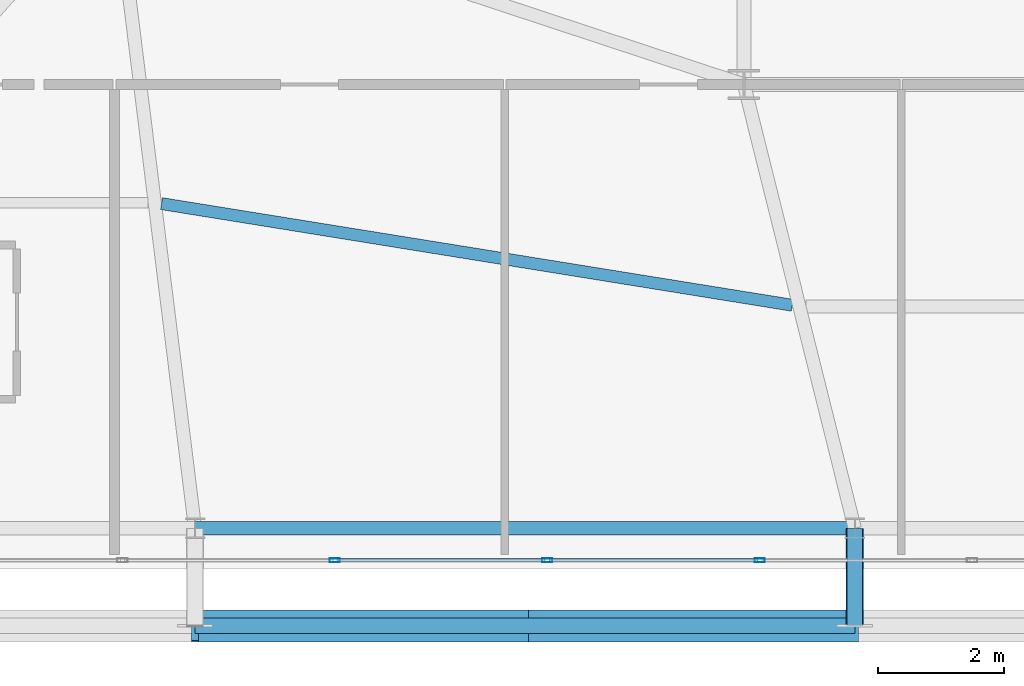
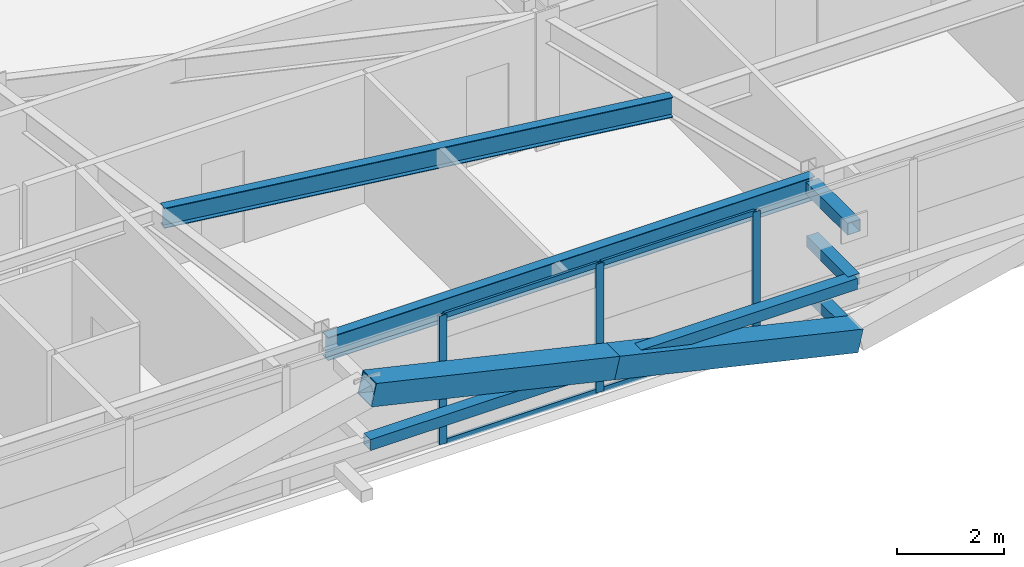
# One storey, part 11 of 58: 13 members, 2 beams, 1 element without a shape of its own.
"""IFC4 building model written with IfcOpenShell, lengths in metres."""

from ifc_helpers import new_model, si_unit, direction, frame, origin, origin_2d, place, context, subcontext, project, spatial, hollow_rectangle, i_section, extrude, source, transform, mapped, material, layer, layer_set, material_profile, profile_set, type_object, element, aggregate, save


model = new_model("IFC4")

# Units and contexts
model_context = context("Model", 3, precision=1e-05, world=origin(), true_north=direction((0.0, 1.0)))
body_context = subcontext(model_context, "Body", "Model", "MODEL_VIEW")
ifc_project = project(units=[si_unit("LENGTHUNIT", "METRE"), si_unit("AREAUNIT", "SQUARE_METRE"), si_unit("VOLUMEUNIT", "CUBIC_METRE"), si_unit("PLANEANGLEUNIT", "RADIAN"), si_unit("MASSUNIT", "GRAM", prefix="KILO")], contexts=[model_context])

# Site, building, storey
site_placement = place(None, origin())
site = spatial("IfcSite", under=ifc_project, at=site_placement, CompositionType="ELEMENT")
building_placement = place(site_placement, origin())
building = spatial("IfcBuilding", under=site, at=building_placement, Name="Taldren Reach Tower", CompositionType="ELEMENT")
storey_placement = place(building_placement, frame((0.0, 0.0, 54.60009765625)))
storey = spatial("IfcBuildingStorey", under=building, at=storey_placement, Name="L16", CompositionType="ELEMENT", Elevation=54.60009765625)

# Beams
ifc_material_1 = material(Name="Steel Gr 350 (350PLUS)", Category="steel")
ifc_material_profile_1 = material_profile(ifc_material_1, i_section(OverallWidth=0.208984375, OverallDepth=0.528076171875, WebThickness=0.009521484375, FlangeThickness=0.01318359375, at=origin_2d()), Name="530UB82.0")
ifc_profile_set_1 = profile_set([ifc_material_profile_1], Name="Steel Gr 350 (350PLUS)")
beam_type_1 = type_object("IfcBeamType", Name="SP-UB530B", PredefinedType="SPANDREL", material=ifc_profile_set_1)
shared_shape_1 = source(origin(), body_context, "Body", "SweptSolid", [
    extrude(i_section(OverallWidth=0.208984375, OverallDepth=0.528076171875, WebThickness=0.009521484375, FlangeThickness=0.01318359375, at=origin_2d()), origin(), (0.0, 0.0, 1.0), 10.47998046875),
])
beam_1_placement = place(storey_placement, frame((19.280029296875, 2.14990234375, 2.666015625), z_axis=(1.0, 0.0, 0.0), x_axis=(0.0, 1.0, 0.0)))
element("IfcBeam", 1, at=beam_1_placement, inside=storey, type_object=beam_type_1, Name="Perimeter spandrel B1 S2-S3 L16", PredefinedType="SPANDREL", context=body_context, shape_type="MappedRepresentation", body=[
    mapped(shared_shape_1, transform((0.0, 0.0, 0.0), scale=1.0)),
])
ifc_material_profile_2 = material_profile(ifc_material_1, i_section(OverallWidth=0.19091796875, OverallDepth=0.4599609375, WebThickness=0.010009765625, FlangeThickness=0.01611328125, at=origin_2d()), Name="460UB82.1")
ifc_profile_set_2 = profile_set([ifc_material_profile_2], Name="Steel Gr 350 (350PLUS)")
beam_type_2 = type_object("IfcBeamType", Name="BM-UB460A", PredefinedType="BEAM", material=ifc_profile_set_2)
shared_shape_2 = source(origin(), body_context, "Body", "SweptSolid", [
    extrude(i_section(OverallWidth=0.19091796875, OverallDepth=0.4599609375, WebThickness=0.010009765625, FlangeThickness=0.01611328125, at=origin_2d()), origin(), (0.0, 0.0, 1.0), 10.1494140625),
])
beam_2_placement = place(storey_placement, frame((18.74755859375, 7.3076171875, 2.699951171875), z_axis=(0.987266967452, -0.159072106224, 0.0), x_axis=(0.159072106224, 0.987266967452, 0.0)))
element("IfcBeam", 2, at=beam_2_placement, inside=storey, type_object=beam_type_2, Name="Secondary floor beam B1 J2 L16", PredefinedType="BEAM", context=body_context, shape_type="MappedRepresentation", body=[
    mapped(shared_shape_2, transform((0.0, 0.0, 0.0), scale=1.0)),
])

# Members
ifc_material_2 = material(Name="Steel Gr 450 (C450L0)", Category="steel")
ifc_material_profile_3 = material_profile(ifc_material_2, hollow_rectangle(XDim=0.27490234375, YDim=0.27490234375, WallThickness=0.00927734375, at=origin_2d()), Name="275x275x9.3SHS")
ifc_profile_set_3 = profile_set([ifc_material_profile_3], Name="Steel Gr 450 (C450L0)")
member_type_1 = type_object("IfcMemberType", Name="MB-TIE273", PredefinedType="STRUT", material=ifc_profile_set_3)
shared_shape_3 = source(origin(), body_context, "Body", "SweptSolid", [
    extrude(hollow_rectangle(XDim=0.27490234375, YDim=0.27490234375, WallThickness=0.00927734375, at=origin_2d()), origin(), (0.0, 0.0, 1.0), 1.5498046875),
])
member_1_placement = place(storey_placement, frame((29.760009765625, 2.14990234375, 2.64990234375), z_axis=(0.0, -1.0, 0.0), x_axis=(1.0, 0.0, 0.0)))
element("IfcMember", 3, at=member_1_placement, inside=storey, type_object=member_type_1, Name="Exoskeleton diaphragm tie strut B1-S3 L16", PredefinedType="STRUT", context=body_context, shape_type="MappedRepresentation", body=[
    mapped(shared_shape_3, transform((0.0, 0.0, 0.0), scale=1.0)),
])
ifc_material_profile_4 = material_profile(ifc_material_2, hollow_rectangle(XDim=0.510009765625, YDim=0.510009765625, WallThickness=0.02001953125, at=origin_2d()), Name="510x510x20.0SHS")
ifc_profile_set_4 = profile_set([ifc_material_profile_4], Name="Steel Gr 450 (C450L0)")
member_type_2 = type_object("IfcMemberType", Name="MB-EXO508", PredefinedType="BRACE", material=ifc_profile_set_4)
shared_shape_4 = source(origin(), body_context, "Body", "SweptSolid", [
    extrude(hollow_rectangle(XDim=0.510009765625, YDim=0.510009765625, WallThickness=0.02001953125, at=origin_2d()), origin(), (0.0, 0.0, 1.0), 5.37890625),
])
for number, where, z_axis, x_axis, name in (
    (4, (29.760009765625, 0.60009765625, 0.219970703125), (-0.974161966843, 0.0, 0.225850531007), (0.0, -1.0, 0.0), "Exoskeleton Diagrid Brace B1-S2 L16"),
    (5, (24.52001953125, 0.60009765625, 1.434814453125), (-0.97415197996, 0.0, 0.225893603143), (0.0, -1.0, 0.0), "Exoskeleton Diagrid Brace B1-S2 L16"),
):
    element("IfcMember", number, at=place(storey_placement, frame(where, z_axis=z_axis, x_axis=x_axis)), inside=storey, type_object=member_type_2, Name=name, PredefinedType="BRACE", context=body_context, shape_type="MappedRepresentation", body=[
        mapped(shared_shape_4, transform((0.0, 0.0, 0.0), scale=1.0)),
    ])
ifc_material_3 = material(Name="Steel Gr 350 (C350L0)", Category="steel")
ifc_material_profile_5 = material_profile(ifc_material_3, hollow_rectangle(XDim=0.25, YDim=0.25, WallThickness=0.010009765625, at=origin_2d()), Name="250x250x10.0SHS")
ifc_profile_set_5 = profile_set([ifc_material_profile_5], Name="Steel Gr 350 (C350L0)")
member_type_3 = type_object("IfcMemberType", Name="MB-POST250", PredefinedType="POST", material=ifc_profile_set_5)
shared_shape_5 = source(origin(), body_context, "Body", "SweptSolid", [
    extrude(hollow_rectangle(XDim=0.25, YDim=0.25, WallThickness=0.010009765625, at=origin_2d()), origin(), (0.0, 0.0, 1.0), 10.47998046875),
])
member_2_placement = place(storey_placement, frame((19.280029296875, 0.60009765625, 1.434814453125), z_axis=(1.0, 0.0, 0.0), x_axis=(0.0, 1.0, 0.0)))
element("IfcMember", 6, at=member_2_placement, inside=storey, type_object=member_type_3, Name="Exoskeleton mid-height ring chord B1-S2 L16", PredefinedType="POST", context=body_context, shape_type="MappedRepresentation", body=[
    mapped(shared_shape_5, transform((0.0, 0.0, 0.0), scale=1.0)),
])
shared_shape_6 = source(origin(), body_context, "Body", "SweptSolid", [
    extrude(hollow_rectangle(XDim=0.25, YDim=0.25, WallThickness=0.010009765625, at=origin_2d()), origin(), (0.0, 0.0, 1.0), 1.5498046875),
])
for number, where, z_axis, x_axis, name in (
    (7, (29.760009765625, 2.14990234375, 0.219970703125), (0.0, -1.0, 0.0), (1.0, 0.0, 0.0), "Exoskeleton base diaphragm tie strut B1-S3 L16"),
    (8, (29.760009765625, 2.14990234375, 1.434814453125), (0.0, -1.0, 0.0), (1.0, 0.0, 0.0), "Exoskeleton mid-tier diaphragm tie B1-S3 L16"),
):
    element("IfcMember", number, at=place(storey_placement, frame(where, z_axis=z_axis, x_axis=x_axis)), inside=storey, type_object=member_type_3, Name=name, PredefinedType="POST", context=body_context, shape_type="MappedRepresentation", body=[
        mapped(shared_shape_6, transform((0.0, 0.0, 0.0), scale=1.0)),
    ])

# Curtain wall, members
ifc_material_4 = material(Name="Aluminium and Low-E Glass Unitised System", Category="aluminium")
ifc_layer = layer(ifc_material_4, 0.159912109375)
ifc_layer_set = layer_set([ifc_layer], Name="Aluminium and Low-E Glass Unitised System")
curtain_wall_type = type_object("IfcCurtainWallType", Name="CW-SYS-2", PredefinedType="NOTDEFINED", material=ifc_layer_set)
curtain_wall_placement = place(storey_placement, origin())
curtain_wall = element("IfcCurtainWall", 9, at=curtain_wall_placement, inside=storey, type_object=curtain_wall_type, Name="Unitised curtain wall CW-L16-S", PredefinedType="NOTDEFINED")
ifc_material_5 = material(Name="Anodised Aluminium 6063-T6", Category="aluminium")
ifc_material_profile_6 = material_profile(ifc_material_5, hollow_rectangle(XDim=0.06494140625, YDim=0.1650390625, WallThickness=0.00390625, at=origin_2d()), Name="ALU-165x65x4RHS")
ifc_profile_set_6 = profile_set([ifc_material_profile_6], Name="Anodised Aluminium 6063-T6")
member_type_4 = type_object("IfcMemberType", Name="CW-MUL-165", PredefinedType="MULLION", material=ifc_profile_set_6)
shared_shape_7 = source(origin(), body_context, "Body", "SweptSolid", [
    extrude(hollow_rectangle(XDim=0.06494140625, YDim=0.1650390625, WallThickness=0.00390625, at=origin_2d()), origin(), (0.0, 0.0, 1.0), 2.929931640625),
])
member_3_placement = place(storey_placement, frame((21.5, 1.639892578125, 0.0), z_axis=(0.0, 0.0, 1.0), x_axis=(0.0, 1.0, 0.0)))
member_3 = element("IfcMember", 10, at=member_3_placement, type_object=member_type_4, Name="CW-2 mullion 5", PredefinedType="MULLION", context=body_context, shape_type="MappedRepresentation", body=[
    mapped(shared_shape_7, transform((0.0, 0.0, 0.0), scale=1.0)),
])
member_4_placement = place(storey_placement, frame((24.875, 1.639892578125, 0.0), z_axis=(0.0, 0.0, 1.0), x_axis=(0.0, 1.0, 0.0)))
member_4 = element("IfcMember", 11, at=member_4_placement, type_object=member_type_4, Name="CW-2 mullion 6", PredefinedType="MULLION", context=body_context, shape_type="MappedRepresentation", body=[
    mapped(shared_shape_7, transform((0.0, 0.0, 0.0), scale=1.0)),
])
member_5_placement = place(storey_placement, frame((28.25, 1.639892578125, 0.0), z_axis=(0.0, 0.0, 1.0), x_axis=(0.0, 1.0, 0.0)))
member_5 = element("IfcMember", 12, at=member_5_placement, type_object=member_type_4, Name="CW-2 mullion 7", PredefinedType="MULLION", context=body_context, shape_type="MappedRepresentation", body=[
    mapped(shared_shape_7, transform((0.0, 0.0, 0.0), scale=1.0)),
])
ifc_material_profile_7 = material_profile(ifc_material_5, hollow_rectangle(XDim=0.054931640625, YDim=0.1201171875, WallThickness=0.0029296875, at=origin_2d()), Name="ALU-120x55x3RHS")
ifc_profile_set_7 = profile_set([ifc_material_profile_7], Name="Anodised Aluminium 6063-T6")
member_type_5 = type_object("IfcMemberType", Name="CW-TRN-135", PredefinedType="USERDEFINED", material=ifc_profile_set_7)
shared_shape_8 = source(origin(), body_context, "Body", "SweptSolid", [
    extrude(hollow_rectangle(XDim=0.054931640625, YDim=0.1201171875, WallThickness=0.0029296875, at=origin_2d()), origin(), (0.0, 0.0, 1.0), 3.31005859375),
])
member_6_placement = place(storey_placement, frame((21.532470703125, 1.639892578125, 0.02734375), z_axis=(1.0, 0.0, 0.0), x_axis=(0.0, 1.0, 0.0)))
member_6 = element("IfcMember", 13, at=member_6_placement, type_object=member_type_5, Name="CW-2 transom 5.1", ObjectType="TRANSOM", PredefinedType="USERDEFINED", context=body_context, shape_type="MappedRepresentation", body=[
    mapped(shared_shape_8, transform((0.0, 0.0, 0.0), scale=1.0)),
])
member_7_placement = place(storey_placement, frame((21.532470703125, 1.639892578125, 2.90234375), z_axis=(1.0, 0.0, 0.0), x_axis=(0.0, 1.0, 0.0)))
member_7 = element("IfcMember", 14, at=member_7_placement, type_object=member_type_5, Name="CW-2 transom 5.2", ObjectType="TRANSOM", PredefinedType="USERDEFINED", context=body_context, shape_type="MappedRepresentation", body=[
    mapped(shared_shape_8, transform((0.0, 0.0, 0.0), scale=1.0)),
])
member_8_placement = place(storey_placement, frame((24.907470703125, 1.639892578125, 0.02734375), z_axis=(1.0, 0.0, 0.0), x_axis=(0.0, 1.0, 0.0)))
member_8 = element("IfcMember", 15, at=member_8_placement, type_object=member_type_5, Name="CW-2 transom 6.1", ObjectType="TRANSOM", PredefinedType="USERDEFINED", context=body_context, shape_type="MappedRepresentation", body=[
    mapped(shared_shape_8, transform((0.0, 0.0, 0.0), scale=1.0)),
])
member_9_placement = place(storey_placement, frame((24.907470703125, 1.639892578125, 2.90234375), z_axis=(1.0, 0.0, 0.0), x_axis=(0.0, 1.0, 0.0)))
member_9 = element("IfcMember", 16, at=member_9_placement, type_object=member_type_5, Name="CW-2 transom 6.2", ObjectType="TRANSOM", PredefinedType="USERDEFINED", context=body_context, shape_type="MappedRepresentation", body=[
    mapped(shared_shape_8, transform((0.0, 0.0, 0.0), scale=1.0)),
])
aggregate(curtain_wall, [member_3, member_4, member_5, member_6, member_7, member_8, member_9])

save(model, "model.ifc")
